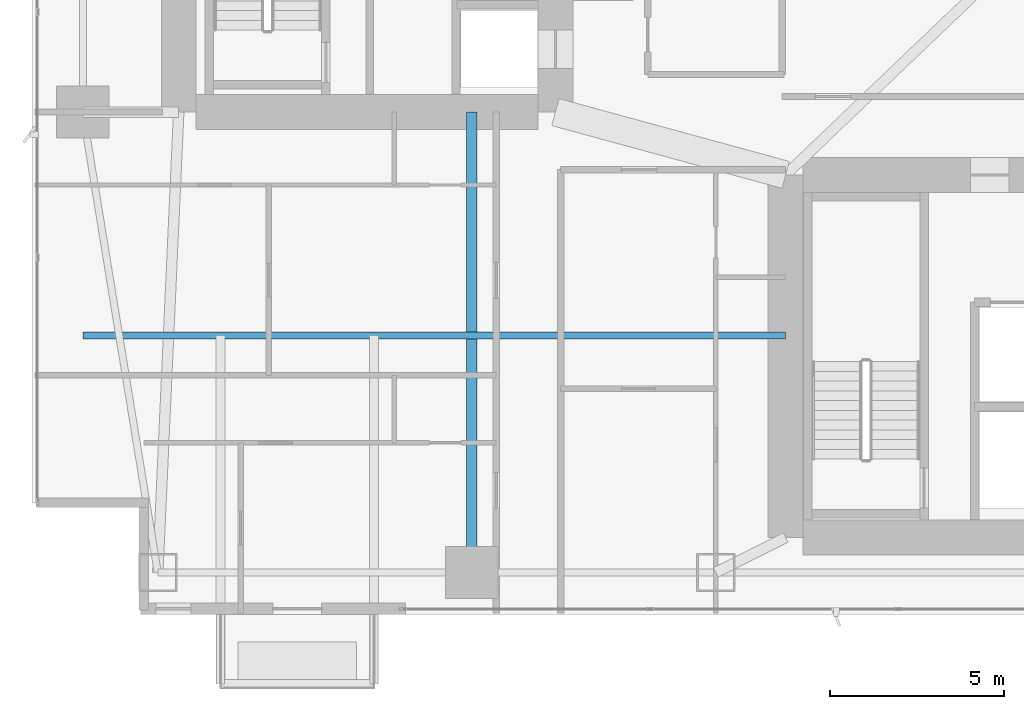
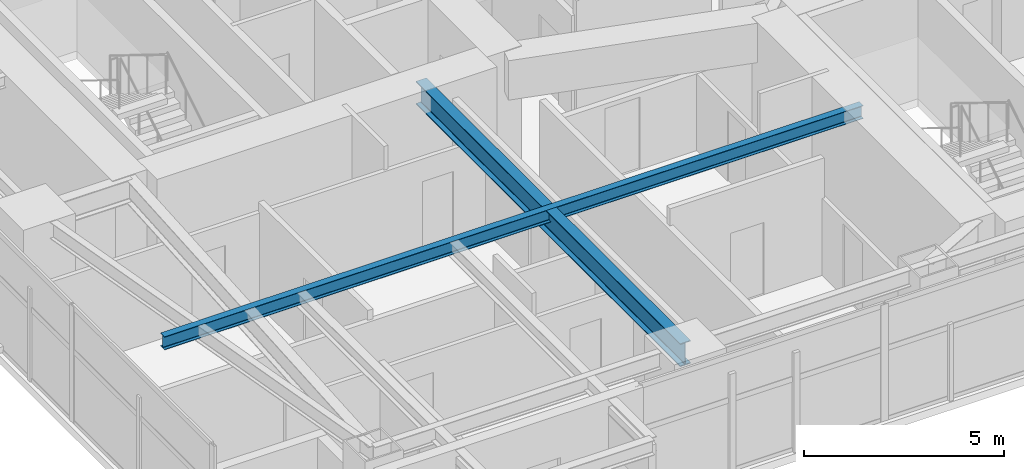
# One storey, part 5 of 29: 2 beams.
"""IFC4 building model written with IfcOpenShell, lengths in metres."""

from ifc_helpers import new_model, si_unit, direction, frame, origin, origin_2d, place, context, subcontext, project, spatial, i_section, extrude, material, material_profile, profile_set, type_object, element, save


model = new_model("IFC4")

# Units and contexts
model_context = context("Model", 3, precision=1e-05, world=origin(), true_north=direction((0.0, 1.0)))
body_context = subcontext(model_context, "Body", "Model", "MODEL_VIEW")
ifc_project = project(units=[si_unit("LENGTHUNIT", "METRE"), si_unit("AREAUNIT", "SQUARE_METRE"), si_unit("VOLUMEUNIT", "CUBIC_METRE"), si_unit("PLANEANGLEUNIT", "RADIAN"), si_unit("MASSUNIT", "GRAM", prefix="KILO")], contexts=[model_context])

# Site, building, storey
site_placement = place(None, origin())
site = spatial("IfcSite", under=ifc_project, at=site_placement, CompositionType="ELEMENT")
building_placement = place(site_placement, origin())
building = spatial("IfcBuilding", under=site, at=building_placement, Name="Calvorn Quay Hotel", CompositionType="ELEMENT")
storey_placement = place(building_placement, frame((0.0, 0.0, 66.0)))
storey = spatial("IfcBuildingStorey", under=building, at=storey_placement, Name="L15", CompositionType="ELEMENT", Elevation=66.0)

# Beams
ifc_material_1 = material(Name="Steel Q390GJC", Category="steel")
ifc_material_profile_1 = material_profile(ifc_material_1, i_section(OverallWidth=0.300048828125, OverallDepth=0.699951171875, WebThickness=0.012939453125, FlangeThickness=0.02392578125, FilletRadius=0.02392578125, at=origin_2d()), Name="HN700x300x13x24")
ifc_profile_set_1 = profile_set([ifc_material_profile_1], Name="Steel Q390GJC")
beam_type_1 = type_object("IfcBeamType", Name="BM-GIRD-MAIN", PredefinedType="BEAM", material=ifc_profile_set_1)
beam_1_placement = place(storey_placement, frame((12.60009765625, 3.60009765625, 3.18994140625), z_axis=(0.0, 1.0, 0.0), x_axis=(-1.0, 0.0, 0.0)))
element("IfcBeam", 1, at=beam_1_placement, inside=storey, type_object=beam_type_1, Name="Beam BG-L15-S1", PredefinedType="BEAM", context=body_context, shape_type="SweptSolid", body=[
    extrude(i_section(OverallWidth=0.300048828125, OverallDepth=0.699951171875, WebThickness=0.012939453125, FlangeThickness=0.02392578125, FilletRadius=0.02392578125, at=origin_2d()), origin(), (0.0, 0.0, 1.0), 13.199951171875),
])
ifc_material_2 = material(Name="Steel Q355B", Category="steel")
ifc_material_profile_2 = material_profile(ifc_material_2, i_section(OverallWidth=0.199951171875, OverallDepth=0.39990234375, WebThickness=0.008056640625, FlangeThickness=0.012939453125, FilletRadius=0.01611328125, at=origin_2d()), Name="HN400x200x8x13")
ifc_profile_set_2 = profile_set([ifc_material_profile_2], Name="Steel Q355B")
beam_type_2 = type_object("IfcBeamType", Name="BM-JOIST-TYP", PredefinedType="JOIST", material=ifc_profile_set_2)
beam_2_placement = place(storey_placement, frame((1.449951171875, 10.39990234375, 3.340087890625), z_axis=(1.0, 0.0, 0.0), x_axis=(0.0, 1.0, 0.0)))
element("IfcBeam", 2, at=beam_2_placement, inside=storey, type_object=beam_type_2, Name="Beam BJ-L15-W1", PredefinedType="JOIST", context=body_context, shape_type="SweptSolid", body=[
    extrude(i_section(OverallWidth=0.199951171875, OverallDepth=0.39990234375, WebThickness=0.008056640625, FlangeThickness=0.012939453125, FilletRadius=0.01611328125, at=origin_2d()), origin(), (0.0, 0.0, 1.0), 20.150146484375),
])

save(model, "model.ifc")
